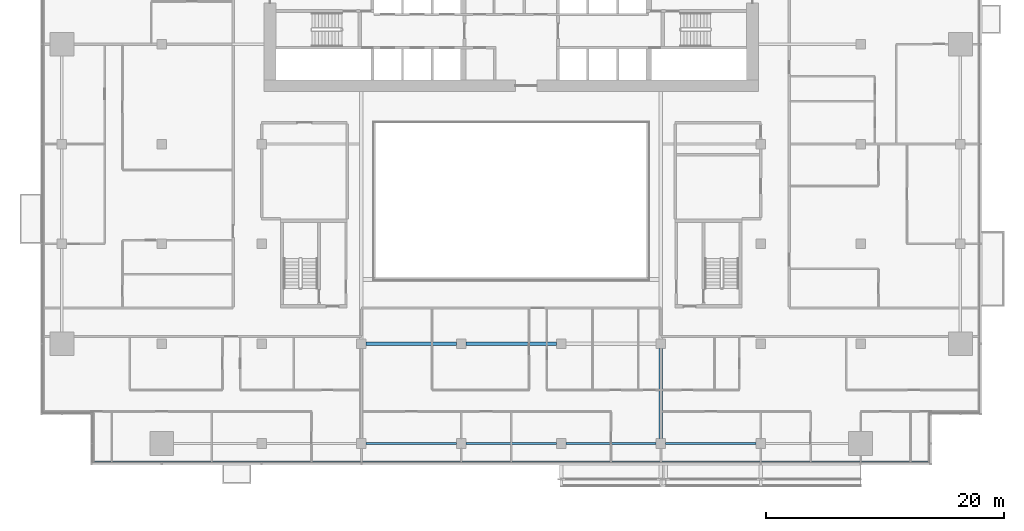
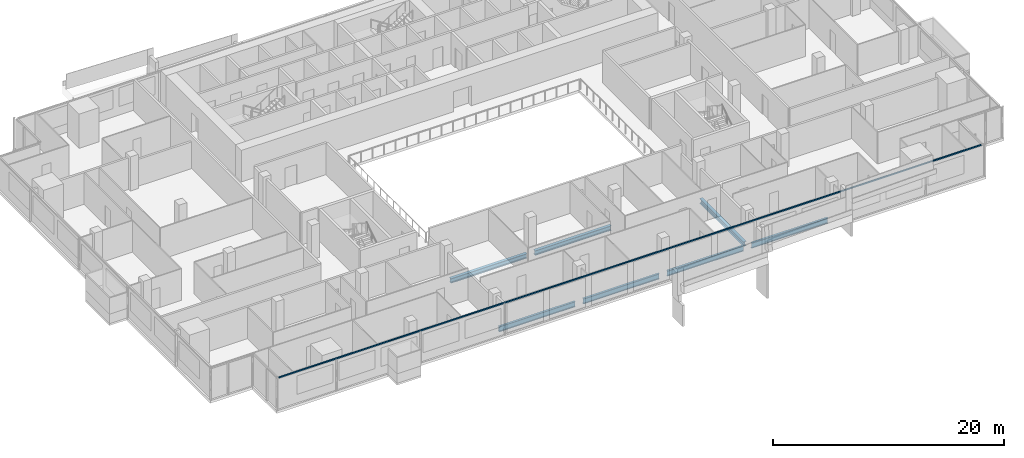
# One storey, part 5 of 27: 7 beams, 1 member, 1 element without a shape of its own.
"""IFC4 building model written with IfcOpenShell, lengths in metres."""

from ifc_helpers import new_model, si_unit, direction, frame, origin, origin_2d, place, context, subcontext, project, spatial, rectangle, i_section, extrude, material, material_profile, profile_set, type_object, element, aggregate, save


model = new_model("IFC4")

# Units and contexts
model_context = context("Model", 3, precision=1e-05, world=origin(), true_north=direction((0.0, 1.0)))
body_context = subcontext(model_context, "Body", "Model", "MODEL_VIEW")
ifc_project = project(units=[si_unit("LENGTHUNIT", "METRE"), si_unit("AREAUNIT", "SQUARE_METRE"), si_unit("VOLUMEUNIT", "CUBIC_METRE"), si_unit("PLANEANGLEUNIT", "RADIAN"), si_unit("MASSUNIT", "GRAM", prefix="KILO")], contexts=[model_context])

# Site, building, storey
site_placement = place(None, origin())
site = spatial("IfcSite", under=ifc_project, at=site_placement, CompositionType="ELEMENT")
building_placement = place(site_placement, origin())
building = spatial("IfcBuilding", under=site, at=building_placement, Name="Saffron Gate Tower", CompositionType="ELEMENT")
storey_placement = place(building_placement, frame((0.0, 0.0, 124.050048828125)))
storey = spatial("IfcBuildingStorey", under=building, at=storey_placement, Name="L29", CompositionType="ELEMENT", Elevation=124.050048828125)

# Beams
ifc_material_1 = material(Name="Structural steel S355", Category="steel")
ifc_material_profile_1 = material_profile(ifc_material_1, i_section(OverallWidth=0.2099609375, OverallDepth=0.550048828125, WebThickness=0.010986328125, FlangeThickness=0.01708984375, FilletRadius=0.02392578125, at=origin_2d()))
ifc_profile_set_1 = profile_set([ifc_material_profile_1], Name="Structural steel S355")
beam_type_1 = type_object("IfcBeamType", Name="B13 IPE 550", PredefinedType="SPANDREL", material=ifc_profile_set_1)
beam_1_placement = place(storey_placement, frame((75.39990234375, 31.800048828125, -0.554931640625), z_axis=(1.0, 0.0, 0.0), x_axis=(0.0, 1.0, 0.0)))
element("IfcBeam", 1, at=beam_1_placement, inside=storey, type_object=beam_type_1, Name="B13 SPANDREL BEAM", PredefinedType="SPANDREL", context=body_context, shape_type="SweptSolid", body=[
    extrude(i_section(OverallWidth=0.2099609375, OverallDepth=0.550048828125, WebThickness=0.010986328125, FlangeThickness=0.01708984375, FilletRadius=0.02392578125, at=origin_2d()), origin(), (0.0, 0.0, 1.0), 7.60009765625),
])
beam_2_placement = place(storey_placement, frame((83.800048828125, 31.800048828125, -0.554931640625), z_axis=(1.0, 0.0, 0.0), x_axis=(0.0, 1.0, 0.0)))
element("IfcBeam", 2, at=beam_2_placement, inside=storey, type_object=beam_type_1, Name="B13 SPANDREL BEAM", PredefinedType="SPANDREL", context=body_context, shape_type="SweptSolid", body=[
    extrude(i_section(OverallWidth=0.2099609375, OverallDepth=0.550048828125, WebThickness=0.010986328125, FlangeThickness=0.01708984375, FilletRadius=0.02392578125, at=origin_2d()), origin(), (0.0, 0.0, 1.0), 7.599853515625),
])
beam_3_placement = place(storey_placement, frame((92.199951171875, 31.800048828125, -0.554931640625), z_axis=(1.0, 0.0, 0.0), x_axis=(0.0, 1.0, 0.0)))
element("IfcBeam", 3, at=beam_3_placement, inside=storey, type_object=beam_type_1, Name="B13 SPANDREL BEAM", PredefinedType="SPANDREL", context=body_context, shape_type="SweptSolid", body=[
    extrude(i_section(OverallWidth=0.2099609375, OverallDepth=0.550048828125, WebThickness=0.010986328125, FlangeThickness=0.01708984375, FilletRadius=0.02392578125, at=origin_2d()), origin(), (0.0, 0.0, 1.0), 7.60009765625),
])
beam_4_placement = place(storey_placement, frame((100.60009765625, 31.800048828125, -0.554931640625), z_axis=(1.0, 0.0, 0.0), x_axis=(0.0, 1.0, 0.0)))
element("IfcBeam", 4, at=beam_4_placement, inside=storey, type_object=beam_type_1, Name="B13 SPANDREL BEAM", PredefinedType="SPANDREL", context=body_context, shape_type="SweptSolid", body=[
    extrude(i_section(OverallWidth=0.2099609375, OverallDepth=0.550048828125, WebThickness=0.010986328125, FlangeThickness=0.01708984375, FilletRadius=0.02392578125, at=origin_2d()), origin(), (0.0, 0.0, 1.0), 7.599853515625),
])
ifc_material_profile_2 = material_profile(ifc_material_1, i_section(OverallWidth=0.300048828125, OverallDepth=0.489990234375, WebThickness=0.011962890625, FlangeThickness=0.02294921875, FilletRadius=0.027099609375, at=origin_2d()))
ifc_profile_set_2 = profile_set([ifc_material_profile_2], Name="Structural steel S355")
beam_type_2 = type_object("IfcBeamType", Name="B8 HEA 500", PredefinedType="BEAM", material=ifc_profile_set_2)
for number, where, z_axis, x_axis, name in (
    (5, (100.199951171875, 32.199951171875, -0.525146484375), (0.0, 1.0, 0.0), (-1.0, 0.0, 0.0), "B8 FLOOR GIRDER"),
    (6, (75.39990234375, 40.199951171875, -0.525146484375), (1.0, 0.0, 0.0), (0.0, 1.0, 0.0), "B8 FLOOR GIRDER"),
):
    element("IfcBeam", number, at=place(storey_placement, frame(where, z_axis=z_axis, x_axis=x_axis)), inside=storey, type_object=beam_type_2, Name=name, PredefinedType="BEAM", context=body_context, shape_type="SweptSolid", body=[
        extrude(i_section(OverallWidth=0.300048828125, OverallDepth=0.489990234375, WebThickness=0.011962890625, FlangeThickness=0.02294921875, FilletRadius=0.027099609375, at=origin_2d()), origin(), (0.0, 0.0, 1.0), 7.60009765625),
    ])
beam_5_placement = place(storey_placement, frame((83.800048828125, 40.199951171875, -0.525146484375), z_axis=(1.0, 0.0, 0.0), x_axis=(0.0, 1.0, 0.0)))
element("IfcBeam", 7, at=beam_5_placement, inside=storey, type_object=beam_type_2, Name="B8 FLOOR GIRDER", PredefinedType="BEAM", context=body_context, shape_type="SweptSolid", body=[
    extrude(i_section(OverallWidth=0.300048828125, OverallDepth=0.489990234375, WebThickness=0.011962890625, FlangeThickness=0.02294921875, FilletRadius=0.027099609375, at=origin_2d()), origin(), (0.0, 0.0, 1.0), 7.599853515625),
])

# Curtain wall, member
ifc_material_2 = material(Name="Aluminium, bronze anodised", Category="aluminium")
curtain_wall_type = type_object("IfcCurtainWallType", Name="CWS1 curtain wall front facade", PredefinedType="NOTDEFINED", material=ifc_material_2)
curtain_wall_placement = place(storey_placement, origin())
curtain_wall = element("IfcCurtainWall", 8, at=curtain_wall_placement, inside=storey, type_object=curtain_wall_type, Name="CWS1 run 1", PredefinedType="NOTDEFINED")
ifc_material_profile_3 = material_profile(ifc_material_2, rectangle(XDim=0.1201171875, YDim=0.1201171875, at=origin_2d()))
ifc_profile_set_3 = profile_set([ifc_material_profile_3], Name="Aluminium, bronze anodised")
member_type = type_object("IfcMemberType", Name="CWS1 head transom", PredefinedType="USERDEFINED", material=ifc_profile_set_3)
member_placement = place(storey_placement, frame((52.568115234375, 30.248046875, 3.260009765625), z_axis=(1.0, 0.0, 0.0), x_axis=(0.0, 1.0, 0.0)))
member = element("IfcMember", 9, at=member_placement, type_object=member_type, Name="CWS1 head transom", ObjectType="TRANSOM", PredefinedType="USERDEFINED", context=body_context, shape_type="SweptSolid", body=[
    extrude(rectangle(XDim=0.1201171875, YDim=0.1201171875, at=origin_2d()), origin(), (0.0, 0.0, 1.0), 70.06396484375),
])
aggregate(curtain_wall, [member])

save(model, "model.ifc")
